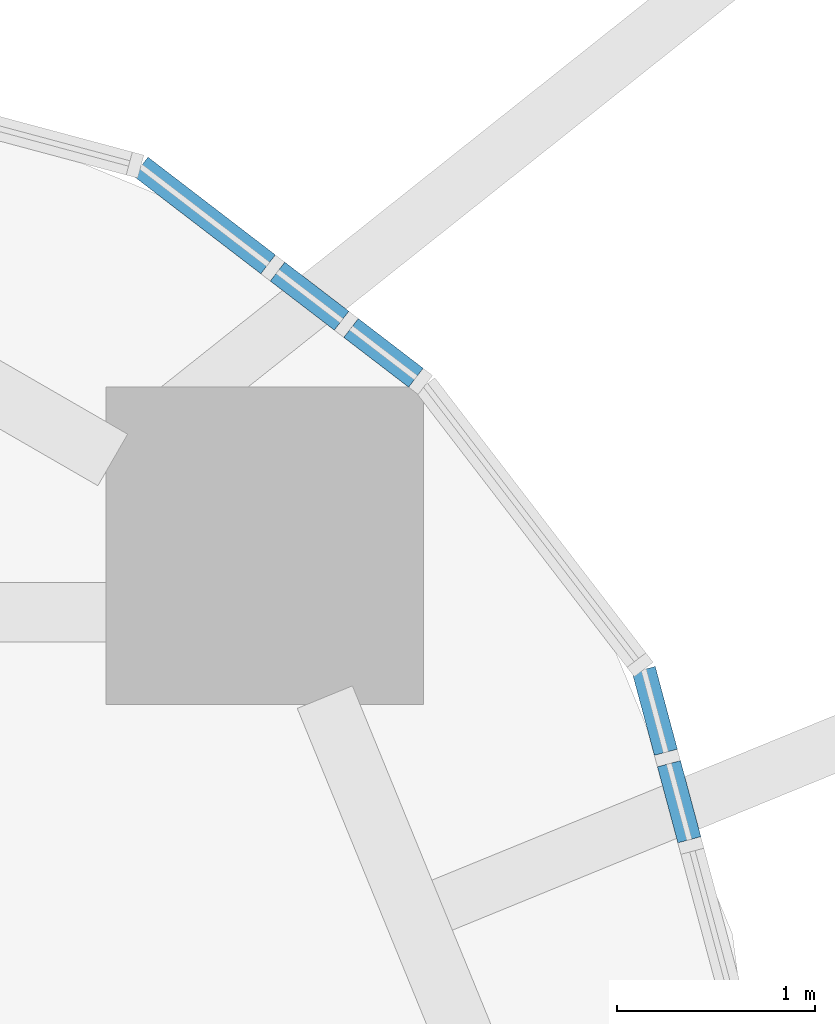
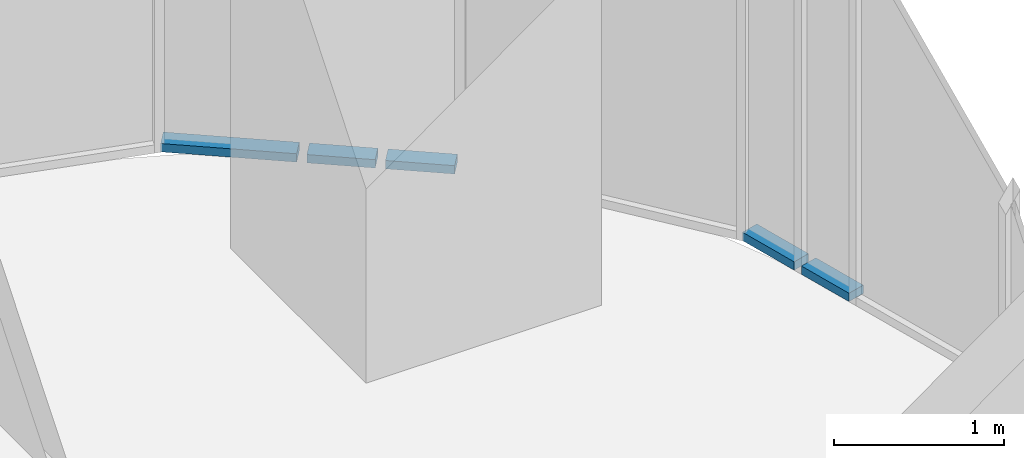
# One storey, part 18 of 36: 5 members, 5 elements without a shape of their own.
"""IFC4 building model written with IfcOpenShell, lengths in metres."""

from ifc_helpers import new_model, si_unit, direction, frame, origin, origin_2d, place, context, subcontext, project, spatial, rectangle, extrude, material, layer, layer_set, material_profile, profile_set, type_object, element, aggregate, save


model = new_model("IFC4")

# Units and contexts
model_context = context("Model", 3, precision=1e-05, world=origin(), true_north=direction((0.0, 1.0)))
body_context = subcontext(model_context, "Body", "Model", "MODEL_VIEW")
ifc_project = project(units=[si_unit("LENGTHUNIT", "METRE"), si_unit("AREAUNIT", "SQUARE_METRE"), si_unit("VOLUMEUNIT", "CUBIC_METRE"), si_unit("PLANEANGLEUNIT", "RADIAN"), si_unit("MASSUNIT", "GRAM", prefix="KILO")], contexts=[model_context])

# Site, building, storey
site_placement = place(None, origin())
site = spatial("IfcSite", under=ifc_project, at=site_placement, CompositionType="ELEMENT")
building_placement = place(site_placement, origin())
building = spatial("IfcBuilding", under=site, at=building_placement, Name="Marenta Gate Hotel Tower", CompositionType="ELEMENT")
storey_placement = place(building_placement, frame((0.0, 0.0, 158.89990234375)))
storey = spatial("IfcBuildingStorey", under=building, at=storey_placement, Name="L37", CompositionType="ELEMENT", Elevation=158.89990234375)

# Curtain wall, member
ifc_material_1 = material(Name="Tinted insulated glass in bronze anodised frame", Category="glass")
ifc_layer = layer(ifc_material_1, 0.1201171875)
ifc_layer_set = layer_set([ifc_layer], Name="Tinted insulated glass in bronze anodised frame")
curtain_wall_type = type_object("IfcCurtainWallType", Name="Tower unitised curtain wall CW1", PredefinedType="NOTDEFINED", material=ifc_layer_set)
curtain_wall_1_placement = place(storey_placement, origin())
curtain_wall_1 = element("IfcCurtainWall", 1, at=curtain_wall_1_placement, inside=storey, type_object=curtain_wall_type, Name="CW1 run G37", PredefinedType="NOTDEFINED")
ifc_material_2 = material(Name="Bronze anodised aluminium", Category="aluminium")
ifc_material_profile = material_profile(ifc_material_2, rectangle(XDim=0.1201171875, YDim=0.06005859375, at=origin_2d()), Name="Transom CW1 60x120 bronze anodised aluminium")
ifc_profile_set = profile_set([ifc_material_profile], Name="Bronze anodised aluminium")
member_type = type_object("IfcMemberType", Name="Transom CW1 60x120 bronze anodised aluminium", PredefinedType="USERDEFINED", material=ifc_profile_set)
member_1_placement = place(storey_placement, frame((26.97607421875, 24.053466796875, 0.030029296875), z_axis=(-0.259156577662, 0.965835321499, 0.0), x_axis=(-0.965835321499, -0.259156577662, 0.0)))
member_1 = element("IfcMember", 2, at=member_1_placement, type_object=member_type, Name="CW1 transom 1.1", ObjectType="TRANSOM", PredefinedType="USERDEFINED", context=body_context, shape_type="SweptSolid", body=[
    extrude(rectangle(XDim=0.1201171875, YDim=0.06005859375, at=origin_2d()), origin(), (0.0, 0.0, 1.0), 0.396728515625),
])
aggregate(curtain_wall_1, [member_1])

curtain_wall_2_placement = place(storey_placement, origin())
curtain_wall_2 = element("IfcCurtainWall", 3, at=curtain_wall_2_placement, inside=storey, type_object=curtain_wall_type, Name="CW1 run G38", PredefinedType="NOTDEFINED")
member_2_placement = place(storey_placement, frame((26.857666015625, 24.49462890625, 0.030029296875), z_axis=(-0.258613509278, 0.965980876011, 0.0), x_axis=(-0.965980876011, -0.258613509278, 0.0)))
member_2 = element("IfcMember", 4, at=member_2_placement, type_object=member_type, Name="CW1 transom 1.1", ObjectType="TRANSOM", PredefinedType="USERDEFINED", context=body_context, shape_type="SweptSolid", body=[
    extrude(rectangle(XDim=0.1201171875, YDim=0.06005859375, at=origin_2d()), origin(), (0.0, 0.0, 1.0), 0.431396484375),
])
aggregate(curtain_wall_2, [member_2])

curtain_wall_3_placement = place(storey_placement, origin())
curtain_wall_3 = element("IfcCurtainWall", 5, at=curtain_wall_3_placement, inside=storey, type_object=curtain_wall_type, Name="CW1 run G40", PredefinedType="NOTDEFINED")
member_3_placement = place(storey_placement, frame((25.597900390625, 26.382080078125, 0.030029296875), z_axis=(-0.793482352244, 0.608593260459, 0.0), x_axis=(-0.608593260459, -0.793482352244, 0.0)))
member_3 = element("IfcMember", 6, at=member_3_placement, type_object=member_type, Name="CW1 transom 1.1", ObjectType="TRANSOM", PredefinedType="USERDEFINED", context=body_context, shape_type="SweptSolid", body=[
    extrude(rectangle(XDim=0.1201171875, YDim=0.06005859375, at=origin_2d()), origin(), (0.0, 0.0, 1.0), 0.411865234375),
])
aggregate(curtain_wall_3, [member_3])

curtain_wall_4_placement = place(storey_placement, origin())
curtain_wall_4 = element("IfcCurtainWall", 7, at=curtain_wall_4_placement, inside=storey, type_object=curtain_wall_type, Name="CW1 run G41", PredefinedType="NOTDEFINED")
member_4_placement = place(storey_placement, frame((25.223388671875, 26.66943359375, 0.030029296875), z_axis=(-0.793471096038, 0.608607935992, 0.0), x_axis=(-0.608607935992, -0.793471096038, 0.0)))
member_4 = element("IfcMember", 8, at=member_4_placement, type_object=member_type, Name="CW1 transom 1.1", ObjectType="TRANSOM", PredefinedType="USERDEFINED", context=body_context, shape_type="SweptSolid", body=[
    extrude(rectangle(XDim=0.1201171875, YDim=0.06005859375, at=origin_2d()), origin(), (0.0, 0.0, 1.0), 0.40673828125),
])
aggregate(curtain_wall_4, [member_4])

curtain_wall_5_placement = place(storey_placement, origin())
curtain_wall_5 = element("IfcCurtainWall", 9, at=curtain_wall_5_placement, inside=storey, type_object=curtain_wall_type, Name="CW1 run G42", PredefinedType="NOTDEFINED")
member_5_placement = place(storey_placement, frame((24.85302734375, 26.95361328125, 0.030029296875), z_axis=(-0.793397450201, 0.608703939542, 0.0), x_axis=(-0.608703939542, -0.793397450201, 0.0)))
member_5 = element("IfcMember", 10, at=member_5_placement, type_object=member_type, Name="CW1 transom 1.1", ObjectType="TRANSOM", PredefinedType="USERDEFINED", context=body_context, shape_type="SweptSolid", body=[
    extrude(rectangle(XDim=0.1201171875, YDim=0.06005859375, at=origin_2d()), origin(), (0.0, 0.0, 1.0), 0.80908203125),
])
aggregate(curtain_wall_5, [member_5])

save(model, "model.ifc")
